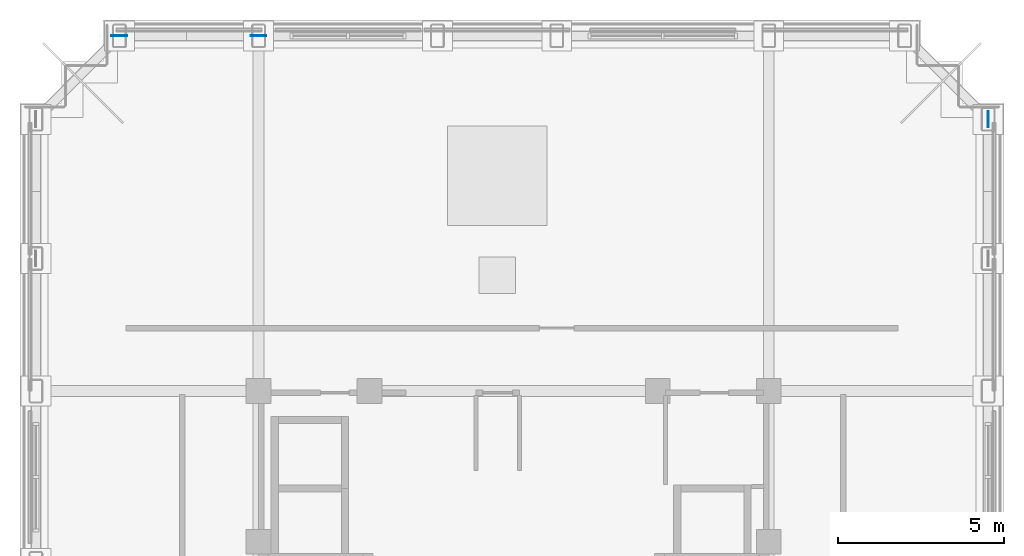
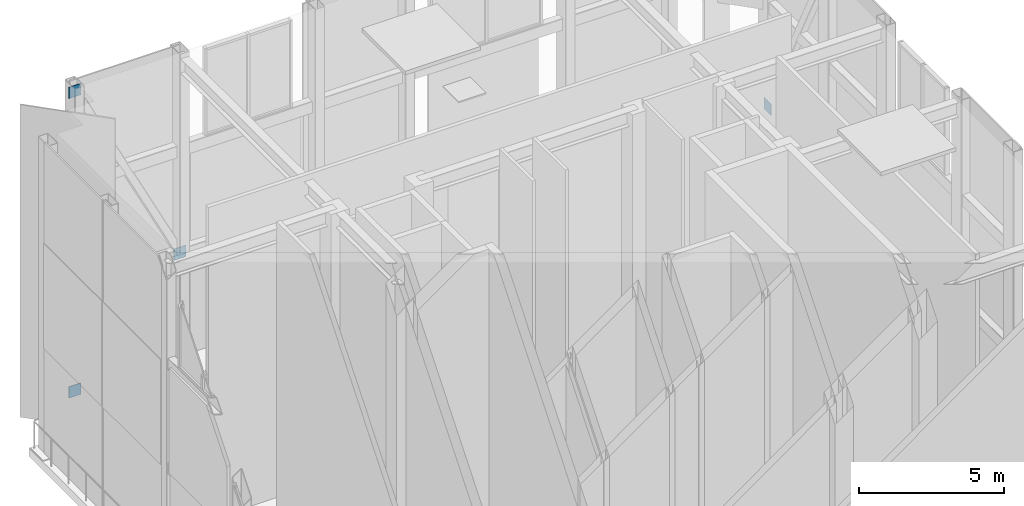
# One storey, part 6 of 7: 4 discrete accessories.
"""IFC4 building model written with IfcOpenShell, lengths in metres."""

from ifc_helpers import new_model, si_unit, derived_unit, direction, frame, origin, origin_2d, place, context, subcontext, project, spatial, rectangle, extrude, material, layer, layer_set, type_object, element, save


model = new_model("IFC4")

# Units and contexts
model_context = context("Model", 3, precision=1e-05, world=origin(), true_north=direction((0.0, 1.0)))
body_context = subcontext(model_context, "Body", "Model", "MODEL_VIEW")
ifc_project = project(units=[si_unit("LENGTHUNIT", "METRE"), si_unit("AREAUNIT", "SQUARE_METRE"), si_unit("VOLUMEUNIT", "CUBIC_METRE"), si_unit("PLANEANGLEUNIT", "RADIAN"), si_unit("MASSUNIT", "GRAM", prefix="KILO"), derived_unit("THERMALTRANSMITTANCEUNIT", [(si_unit("MASSUNIT", "GRAM", prefix="KILO"), 1), (si_unit("TIMEUNIT", "SECOND"), -3), (si_unit("THERMODYNAMICTEMPERATUREUNIT", "KELVIN"), -1)])], contexts=[model_context])

# Site, building, storey
site_placement = place(None, origin())
site = spatial("IfcSite", under=ifc_project, at=site_placement, CompositionType="ELEMENT")
building_placement = place(site_placement, origin())
building = spatial("IfcBuilding", under=site, at=building_placement, Name="Korrvale Station Residences", CompositionType="ELEMENT")
storey_placement = place(building_placement, frame((0.0, 0.0, 261.5)))
storey = spatial("IfcBuildingStorey", under=building, at=storey_placement, Name="L76 Crown", CompositionType="ELEMENT", Elevation=261.5)

# Discrete accessories
ifc_material = material(Name="Steel S355", Category="steel")
ifc_layer = layer(ifc_material, 0.02490234375, Name="Steel S355")
ifc_layer_set = layer_set([ifc_layer], Name="Steel S355")
discrete_accessory_type = type_object("IfcDiscreteAccessoryType", Name="ACC-GUSSET-25", PredefinedType="BRACKET", material=ifc_layer_set)
for number, where, z_axis, x_axis, name in (
    (1, (13.60009765625, 39.719970703125, -0.090087890625), (0.0, 0.0, 1.0), (1.0, 0.0, 0.0), "Ring Crown Brace Gusset Connection 02B"),
    (2, (17.800048828125, 39.719970703125, 4.260009765625), (0.0, 0.0, 1.0), (1.0, 0.0, 0.0), "Ring Crown Brace Gusset Connection 02M"),
    (3, (13.60009765625, 39.719970703125, 12.56005859375), (0.0, 0.0, 1.0), (1.0, 0.0, 0.0), "Ring Crown Brace Gusset Connection 02T"),
    (4, (39.820068359375, 37.199951171875, 4.260009765625), (0.0, 0.0, 1.0), (0.0, 1.0, 0.0), "Ring Crown Brace Gusset Connection 04M"),
):
    element("IfcDiscreteAccessory", number, at=place(storey_placement, frame(where, z_axis=z_axis, x_axis=x_axis)), inside=storey, type_object=discrete_accessory_type, Name=name, PredefinedType="BRACKET", context=body_context, shape_type="SweptSolid", body=[
        extrude(rectangle(XDim=0.47998046875, YDim=0.02490234375, at=origin_2d()), origin(), (0.0, 0.0, 1.0), 0.47998046875),
    ])

save(model, "model.ifc")
